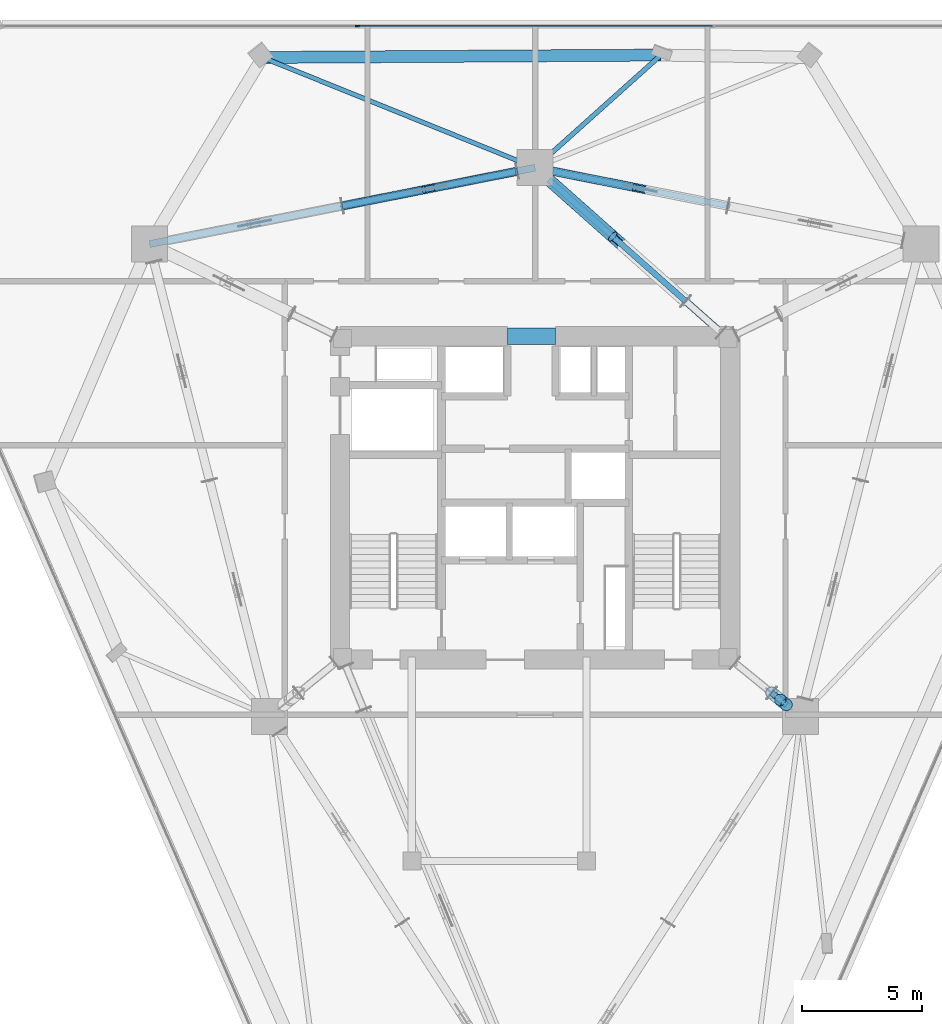
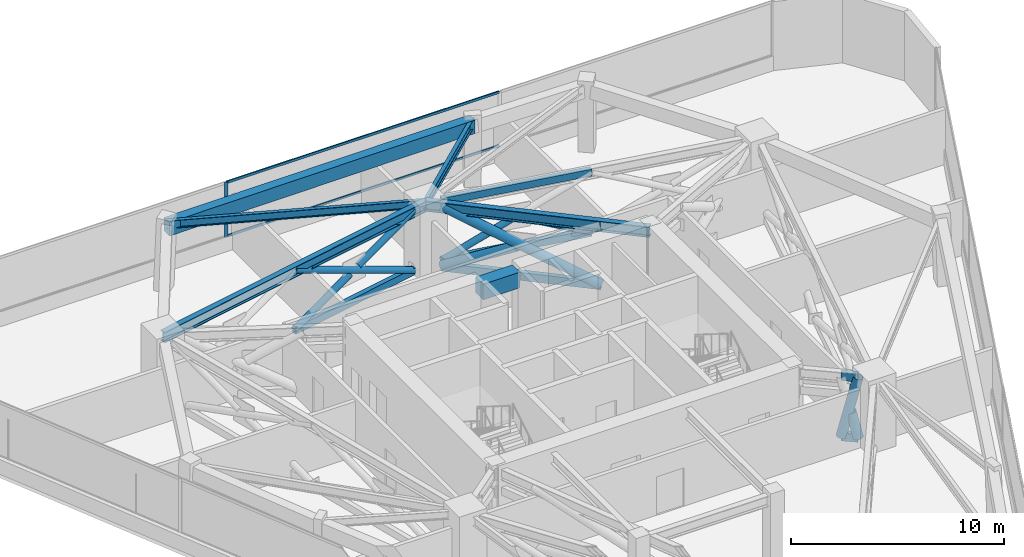
# One storey, part 6 of 13: 20 members, 6 beams, 1 element without a shape of its own.
"""IFC4 building model written with IfcOpenShell, lengths in metres."""

from ifc_helpers import new_model, si_unit, direction, frame, origin, origin_2d, place, context, subcontext, project, spatial, rectangle, hollow_rectangle, hollow_circle, i_section, extrude, material, layer, layer_set, material_profile, profile_set, type_object, element, aggregate, save


model = new_model("IFC4")

# Units and contexts
model_context = context("Model", 3, precision=1e-05, world=origin(), true_north=direction((0.0, 1.0)))
body_context = subcontext(model_context, "Body", "Model", "MODEL_VIEW")
ifc_project = project(units=[si_unit("LENGTHUNIT", "METRE"), si_unit("AREAUNIT", "SQUARE_METRE"), si_unit("VOLUMEUNIT", "CUBIC_METRE"), si_unit("PLANEANGLEUNIT", "RADIAN"), si_unit("MASSUNIT", "GRAM", prefix="KILO")], contexts=[model_context])

# Site, building, storey
site_placement = place(None, origin())
site = spatial("IfcSite", under=ifc_project, at=site_placement, CompositionType="ELEMENT")
building_placement = place(site_placement, origin())
building = spatial("IfcBuilding", under=site, at=building_placement, Name="Talyreon Biosciences Tower", CompositionType="ELEMENT")
storey_placement = place(building_placement, frame((0.0, 0.0, 175.199951171875)))
storey = spatial("IfcBuildingStorey", under=building, at=storey_placement, Name="L46", CompositionType="ELEMENT", Elevation=175.199951171875)

# Members
ifc_material_1 = material(Name="Steel SM355", Category="steel")
ifc_material_profile_1 = material_profile(ifc_material_1, hollow_circle(Radius=0.177734375, WallThickness=0.01416015625, at=origin_2d()), Name="CHS 355.6x14.2")
ifc_profile_set_1 = profile_set([ifc_material_profile_1], Name="Steel SM355")
member_type_1 = type_object("IfcMemberType", Name="BeltBrace_CHS355", PredefinedType="BRACE", material=ifc_profile_set_1)
member_1_placement = place(storey_placement, frame((74.05126953125, 80.19384765625, 0.239990234375), z_axis=(-0.889621587355, 0.176235689408, 0.421324593503), x_axis=(-0.194325464133, -0.980937110109, 0.0)))
element("IfcMember", 1, at=member_1_placement, inside=storey, type_object=member_type_1, Name="L46 Continuous Diagonal BELT-L46-B3S2A", PredefinedType="BRACE", context=body_context, shape_type="SweptSolid", body=[
    extrude(hollow_circle(Radius=0.177734375, WallThickness=0.01416015625, at=origin_2d()), origin(), (0.0, 0.0, 1.0), 8.212158203125),
])
member_2_placement = place(storey_placement, frame((66.74560546875, 81.64111328125, 0.239990234375), z_axis=(0.889605921167, -0.176249304516, 0.421351976004), x_axis=(0.194343202909, 0.980933595858, 0.0)))
element("IfcMember", 2, at=member_2_placement, inside=storey, type_object=member_type_1, Name="L46 Split Diagonal BELT-L46-B3S2B-Lower", PredefinedType="BRACE", context=body_context, shape_type="SweptSolid", body=[
    extrude(hollow_circle(Radius=0.177734375, WallThickness=0.01416015625, at=origin_2d()), origin(), (0.0, 0.0, 1.0), 3.825927734375),
])
member_3_placement = place(storey_placement, frame((65.25439453125, 81.64111328125, 0.239990234375), z_axis=(-0.889621587355, -0.176235689408, 0.421324593503), x_axis=(0.194325464133, -0.980937110109, 0.0)))
element("IfcMember", 3, at=member_3_placement, inside=storey, type_object=member_type_1, Name="L46 Continuous Diagonal BELT-L46-B4S1A", PredefinedType="BRACE", context=body_context, shape_type="SweptSolid", body=[
    extrude(hollow_circle(Radius=0.177734375, WallThickness=0.01416015625, at=origin_2d()), origin(), (0.0, 0.0, 1.0), 8.212158203125),
])
member_4_placement = place(storey_placement, frame((57.94873046875, 80.19384765625, 0.239990234375), z_axis=(0.889619231342, 0.176239299739, 0.421328057994), x_axis=(-0.19432978993, 0.980936253151, 0.0)))
element("IfcMember", 4, at=member_4_placement, inside=storey, type_object=member_type_1, Name="L46 Split Diagonal BELT-L46-B4S1B-Lower", PredefinedType="BRACE", context=body_context, shape_type="SweptSolid", body=[
    extrude(hollow_circle(Radius=0.177734375, WallThickness=0.01416015625, at=origin_2d()), origin(), (0.0, 0.0, 1.0), 3.826171875),
])
member_5_placement = place(storey_placement, frame((61.8505859375, 80.966796875, 2.088134765625), z_axis=(0.889643147326, 0.17624403765, 0.421275574426), x_axis=(-0.19432978993, 0.980936253151, 0.0)))
element("IfcMember", 5, at=member_5_placement, inside=storey, type_object=member_type_1, Name="L46 Split Diagonal BELT-L46-B4S1B-Upper", PredefinedType="BRACE", context=body_context, shape_type="SweptSolid", body=[
    extrude(hollow_circle(Radius=0.177734375, WallThickness=0.01416015625, at=origin_2d()), origin(), (0.0, 0.0, 1.0), 3.825927734375),
])
ifc_material_profile_2 = material_profile(ifc_material_1, hollow_rectangle(XDim=0.25, YDim=0.39990234375, WallThickness=0.01611328125, at=origin_2d()), Name="RHS 400x250x16")
ifc_profile_set_2 = profile_set([ifc_material_profile_2], Name="Steel SM355")
member_type_2 = type_object("IfcMemberType", Name="BeltChord_RHS400x250", PredefinedType="CHORD", material=ifc_profile_set_2)
for number, where, z_axis, x_axis, name in (
    (6, (74.05126953125, 80.19384765625, 0.239990234375), (-0.980937110109, 0.194325464133, 0.0), (-0.194325464133, -0.980937110109, 0.0), "L46 Truss Bottom Chord BELT-L46-B3S2"),
    (7, (74.05126953125, 80.19384765625, 3.699951171875), (-0.980937110109, 0.194325464133, 0.0), (-0.194325464133, -0.980937110109, 0.0), "L46 Truss Top Chord BELT-L46-B3S2"),
    (8, (65.25439453125, 81.64111328125, 0.239990234375), (-0.980937110109, -0.194325464133, 0.0), (0.194325464133, -0.980937110109, 0.0), "L46 Truss Bottom Chord BELT-L46-B4S1"),
    (9, (65.25439453125, 81.64111328125, 3.699951171875), (-0.980937110109, -0.194325464133, 0.0), (0.194325464133, -0.980937110109, 0.0), "L46 Truss Top Chord BELT-L46-B4S1"),
):
    element("IfcMember", number, at=place(storey_placement, frame(where, z_axis=z_axis, x_axis=x_axis)), inside=storey, type_object=member_type_2, Name=name, PredefinedType="CHORD", context=body_context, shape_type="SweptSolid", body=[
        extrude(hollow_rectangle(XDim=0.25, YDim=0.39990234375, WallThickness=0.01611328125, at=origin_2d()), origin(), (0.0, 0.0, 1.0), 7.44775390625),
    ])

# Curtain wall, members
ifc_material_2 = material(Name="Thermally broken aluminium and low-E glazing", Category="aluminium")
ifc_layer = layer(ifc_material_2, 0.18505859375)
ifc_layer_set = layer_set([ifc_layer], Name="Thermally broken aluminium and low-E glazing")
curtain_wall_type = type_object("IfcCurtainWallType", Name="CurtainWall_Zone3Bioprocess", PredefinedType="NOTDEFINED", material=ifc_layer_set)
curtain_wall_placement = place(storey_placement, origin())
curtain_wall = element("IfcCurtainWall", 10, at=curtain_wall_placement, inside=storey, type_object=curtain_wall_type, Name="L46 Unitised Curtain Wall FCW-L46-04", PredefinedType="NOTDEFINED")
ifc_material_3 = material(Name="Anodised thermally broken aluminium", Category="aluminium")
ifc_material_profile_3 = material_profile(ifc_material_3, rectangle(XDim=0.06494140625, YDim=0.179931640625, at=origin_2d()), Name="ALUM MULLION 65x180")
ifc_profile_set_3 = profile_set([ifc_material_profile_3], Name="Anodised thermally broken aluminium")
member_type_3 = type_object("IfcMemberType", Name="CWMullion_65x180", PredefinedType="MULLION", material=ifc_profile_set_3)
member_6_placement = place(storey_placement, frame((58.57958984375, 87.705810546875, 0.81005859375), z_axis=(0.0, 0.0, 1.0), x_axis=(0.0, 1.0, 0.0)))
member_6 = element("IfcMember", 11, at=member_6_placement, type_object=member_type_3, Name="CW4 mullion 2", PredefinedType="MULLION", context=body_context, shape_type="SweptSolid", body=[
    extrude(rectangle(XDim=0.06494140625, YDim=0.179931640625, at=origin_2d()), origin(), (0.0, 0.0, 1.0), 3.139892578125),
])
ifc_material_profile_4 = material_profile(ifc_material_3, rectangle(XDim=0.06494140625, YDim=0.139892578125, at=origin_2d()), Name="ALUM TRANSOM 65x140")
ifc_profile_set_4 = profile_set([ifc_material_profile_4], Name="Anodised thermally broken aluminium")
member_type_4 = type_object("IfcMemberType", Name="CWTransom_65x140", PredefinedType="USERDEFINED", material=ifc_profile_set_4)
member_7_placement = place(storey_placement, frame((58.612060546875, 87.705810546875, 0.842529296875), z_axis=(1.0, 0.0, 0.0), x_axis=(0.0, 1.0, 0.0)))
member_7 = element("IfcMember", 12, at=member_7_placement, type_object=member_type_4, Name="CW4 transom 2.1", ObjectType="TRANSOM", PredefinedType="USERDEFINED", context=body_context, shape_type="SweptSolid", body=[
    extrude(rectangle(XDim=0.06494140625, YDim=0.139892578125, at=origin_2d()), origin(), (0.0, 0.0, 1.0), 14.77587890625),
])
member_8_placement = place(storey_placement, frame((58.612060546875, 87.705810546875, 3.91748046875), z_axis=(1.0, 0.0, 0.0), x_axis=(0.0, 1.0, 0.0)))
member_8 = element("IfcMember", 13, at=member_8_placement, type_object=member_type_4, Name="CW4 transom 2.2", ObjectType="TRANSOM", PredefinedType="USERDEFINED", context=body_context, shape_type="SweptSolid", body=[
    extrude(rectangle(XDim=0.06494140625, YDim=0.139892578125, at=origin_2d()), origin(), (0.0, 0.0, 1.0), 14.77587890625),
])
aggregate(curtain_wall, [member_6, member_7, member_8])

# Beams
ifc_material_4 = material(Name="Concrete C60/75", Category="concrete")
ifc_material_profile_5 = material_profile(ifc_material_4, rectangle(XDim=0.699951171875, YDim=0.89990234375, at=origin_2d()), Name="RCB 700x900")
ifc_profile_set_5 = profile_set([ifc_material_profile_5], Name="Concrete C60/75")
beam_type_1 = type_object("IfcBeamType", Name="CoreCouplingLintel_700x900", PredefinedType="LINTEL", material=ifc_profile_set_5)
beam_1_placement = place(storey_placement, frame((64.85009765625, 74.75, 3.5), z_axis=(1.0, 0.0, 0.0), x_axis=(0.0, 1.0, 0.0)))
element("IfcBeam", 14, at=beam_1_placement, inside=storey, type_object=beam_type_1, Name="L46 Core Coupling Lintel", PredefinedType="LINTEL", context=body_context, shape_type="SweptSolid", body=[
    extrude(rectangle(XDim=0.699951171875, YDim=0.89990234375, at=origin_2d()), origin(), (0.0, 0.0, 1.0), 2.0),
])
ifc_material_5 = material(Name="Precast concrete C45/55", Category="concrete")
ifc_material_profile_6 = material_profile(ifc_material_5, rectangle(XDim=0.5, YDim=0.780029296875, at=origin_2d()), Name="RCB 500x780")
ifc_profile_set_6 = profile_set([ifc_material_profile_6], Name="Precast concrete C45/55")
beam_type_2 = type_object("IfcBeamType", Name="ExpressedSpandrel_500x780", PredefinedType="SPANDREL", material=ifc_profile_set_6)
beam_2_placement = place(storey_placement, frame((71.252197265625, 86.4912109375, 3.56005859375), z_axis=(-0.999981890232, -0.006018239633, 0.0), x_axis=(0.006018239633, -0.999981890232, 0.0)))
element("IfcBeam", 15, at=beam_2_placement, inside=storey, type_object=beam_type_2, Name="L46 Expressed Horizontal Concrete Spandrel 07", PredefinedType="SPANDREL", context=body_context, shape_type="SweptSolid", body=[
    extrude(rectangle(XDim=0.5, YDim=0.780029296875, at=origin_2d()), origin(), (0.0, 0.0, 1.0), 16.63232421875),
])

# Members
ifc_material_profile_7 = material_profile(ifc_material_1, hollow_circle(Radius=0.25390625, WallThickness=0.02001953125, at=origin_2d()), Name="CHS 508x20")
ifc_profile_set_7 = profile_set([ifc_material_profile_7], Name="Steel SM355")
member_type_5 = type_object("IfcMemberType", Name="OutriggerBrace_CHS508", PredefinedType="BRACE", material=ifc_profile_set_7)
member_9_placement = place(storey_placement, frame((75.873046875, 59.8671875, 0.239990234375), z_axis=(0.175540967552, -0.142755908224, 0.974066794105), x_axis=(0.630935647807, 0.775835168271, 0.0)))
element("IfcMember", 16, at=member_9_placement, inside=storey, type_object=member_type_5, Name="L46 Continuous Diagonal OUT-L46-R2A", PredefinedType="BRACE", context=body_context, shape_type="SweptSolid", body=[
    extrude(hollow_circle(Radius=0.25390625, WallThickness=0.02001953125, at=origin_2d()), origin(), (0.0, 0.0, 1.0), 3.552001953125),
])
member_10_placement = place(storey_placement, frame((76.49658203125, 59.360107421875, 0.239990234375), z_axis=(-0.175591607931, 0.142627384137, 0.974076494182), x_axis=(-0.630483987944, -0.77620225518, 0.0)))
element("IfcMember", 17, at=member_10_placement, inside=storey, type_object=member_type_5, Name="L46 Split Diagonal OUT-L46-R2B-Lower", PredefinedType="BRACE", context=body_context, shape_type="SweptSolid", body=[
    extrude(hollow_circle(Radius=0.25390625, WallThickness=0.02001953125, at=origin_2d()), origin(), (0.0, 0.0, 1.0), 1.49609375),
])
member_11_placement = place(storey_placement, frame((72.291748046875, 76.209228515625, 0.239990234375), z_axis=(-0.68168525646, 0.604536933562, 0.412116860957), x_axis=(-0.663501665332, -0.748174805845, 0.0)))
element("IfcMember", 18, at=member_11_placement, inside=storey, type_object=member_type_5, Name="L46 Continuous Diagonal OUT-L46-R4A", PredefinedType="BRACE", context=body_context, shape_type="SweptSolid", body=[
    extrude(hollow_circle(Radius=0.25390625, WallThickness=0.02001953125, at=origin_2d()), origin(), (0.0, 0.0, 1.0), 8.3955078125),
])
member_12_placement = place(storey_placement, frame((66.568603515625, 81.28466796875, 0.239990234375), z_axis=(0.68167193471, -0.604525042383, 0.412156337524), x_axis=(0.66350161797, 0.748174847848, 0.0)))
element("IfcMember", 19, at=member_12_placement, inside=storey, type_object=member_type_5, Name="L46 Split Diagonal OUT-L46-R4B-Lower", PredefinedType="BRACE", context=body_context, shape_type="SweptSolid", body=[
    extrude(hollow_circle(Radius=0.25390625, WallThickness=0.02001953125, at=origin_2d()), origin(), (0.0, 0.0, 1.0), 3.917724609375),
])
ifc_material_profile_8 = material_profile(ifc_material_1, hollow_rectangle(XDim=0.25, YDim=0.449951171875, WallThickness=0.01611328125, at=origin_2d()), Name="RHS 450x250x16")
ifc_profile_set_8 = profile_set([ifc_material_profile_8], Name="Steel SM355")
member_type_6 = type_object("IfcMemberType", Name="OutriggerChord_RHS450x250", PredefinedType="CHORD", material=ifc_profile_set_8)
for number, where, z_axis, x_axis, name in (
    (20, (75.873046875, 59.8671875, 0.239990234375), (0.775835168271, -0.630935647807, 0.0), (0.630935647807, 0.775835168271, 0.0), "L46 Truss Bottom Chord OUT-L46-R2"),
    (21, (75.873046875, 59.8671875, 3.699951171875), (0.775835168271, -0.630935647807, 0.0), (0.630935647807, 0.775835168271, 0.0), "L46 Truss Top Chord OUT-L46-R2"),
):
    element("IfcMember", number, at=place(storey_placement, frame(where, z_axis=z_axis, x_axis=x_axis)), inside=storey, type_object=member_type_6, Name=name, PredefinedType="CHORD", context=body_context, shape_type="SweptSolid", body=[
        extrude(hollow_rectangle(XDim=0.25, YDim=0.449951171875, WallThickness=0.01611328125, at=origin_2d()), origin(), (0.0, 0.0, 1.0), 0.8037109375),
    ])
for number, where, z_axis, x_axis, name in (
    (22, (72.291748046875, 76.209228515625, 0.239990234375), (-0.748174805845, 0.663501665332, 0.0), (-0.663501665332, -0.748174805845, 0.0), "L46 Truss Bottom Chord OUT-L46-R4"),
    (23, (72.291748046875, 76.209228515625, 3.699951171875), (-0.748174805845, 0.663501665332, 0.0), (-0.663501665332, -0.748174805845, 0.0), "L46 Truss Top Chord OUT-L46-R4"),
):
    element("IfcMember", number, at=place(storey_placement, frame(where, z_axis=z_axis, x_axis=x_axis)), inside=storey, type_object=member_type_6, Name=name, PredefinedType="CHORD", context=body_context, shape_type="SweptSolid", body=[
        extrude(hollow_rectangle(XDim=0.25, YDim=0.449951171875, WallThickness=0.01611328125, at=origin_2d()), origin(), (0.0, 0.0, 1.0), 7.6494140625),
    ])

# Beams
ifc_material_profile_9 = material_profile(ifc_material_1, i_section(OverallWidth=0.300048828125, OverallDepth=0.60009765625, WebThickness=0.015380859375, FlangeThickness=0.030029296875, FilletRadius=0.027099609375, at=origin_2d()), Name="HE600B")
ifc_profile_set_9 = profile_set([ifc_material_profile_9], Name="Steel SM355")
beam_type_3 = type_object("IfcBeamType", Name="SteelBeam_HE600B", PredefinedType="BEAM", material=ifc_profile_set_9)
beam_3_placement = place(storey_placement, frame((66.0, 81.788818359375, 3.650146484375), z_axis=(-0.980933730698, -0.194342522311, 0.0), x_axis=(0.194342522311, -0.980933730698, 0.0)))
element("IfcBeam", 24, at=beam_3_placement, inside=storey, type_object=beam_type_3, Name="L46 Mega-Ring Girder 4", PredefinedType="BEAM", context=body_context, shape_type="SweptSolid", body=[
    extrude(i_section(OverallWidth=0.300048828125, OverallDepth=0.60009765625, WebThickness=0.015380859375, FlangeThickness=0.030029296875, FilletRadius=0.027099609375, at=origin_2d()), origin(), (0.0, 0.0, 1.0), 16.415283203125),
])
beam_4_placement = place(storey_placement, frame((74.050048828125, 74.64990234375, 3.650146484375), z_axis=(-0.748178733955, 0.663497235908, 0.0), x_axis=(-0.663497235908, -0.748178733955, 0.0)))
element("IfcBeam", 25, at=beam_4_placement, inside=storey, type_object=beam_type_3, Name="L46 Radial Primary Girder 4", PredefinedType="BEAM", context=body_context, shape_type="SweptSolid", body=[
    extrude(i_section(OverallWidth=0.300048828125, OverallDepth=0.60009765625, WebThickness=0.015380859375, FlangeThickness=0.030029296875, FilletRadius=0.027099609375, at=origin_2d()), origin(), (0.0, 0.0, 1.0), 10.759521484375),
])
ifc_material_profile_10 = material_profile(ifc_material_1, i_section(OverallWidth=0.18994140625, OverallDepth=0.449951171875, WebThickness=0.009521484375, FlangeThickness=0.0146484375, FilletRadius=0.02099609375, at=origin_2d()), Name="IPE450")
ifc_profile_set_10 = profile_set([ifc_material_profile_10], Name="Steel SM355")
beam_type_4 = type_object("IfcBeamType", Name="SteelJoist_IPE450", PredefinedType="JOIST", material=ifc_profile_set_10)
beam_5_placement = place(storey_placement, frame((66.0, 81.788818359375, 3.72509765625), z_axis=(-0.927055799089, 0.374923386008, 0.0), x_axis=(-0.374923386008, -0.927055799089, 0.0)))
element("IfcBeam", 26, at=beam_5_placement, inside=storey, type_object=beam_type_4, Name="L46 Radial Composite Floor Joist PC-N2", PredefinedType="JOIST", context=body_context, shape_type="SweptSolid", body=[
    extrude(i_section(OverallWidth=0.18994140625, OverallDepth=0.449951171875, WebThickness=0.009521484375, FlangeThickness=0.0146484375, FilletRadius=0.02099609375, at=origin_2d()), origin(), (0.0, 0.0, 1.0), 12.275390625),
])
ifc_material_profile_11 = material_profile(ifc_material_1, i_section(OverallWidth=0.199951171875, OverallDepth=0.5, WebThickness=0.01025390625, FlangeThickness=0.01611328125, FilletRadius=0.02099609375, at=origin_2d()), Name="IPE500")
ifc_profile_set_11 = profile_set([ifc_material_profile_11], Name="Steel SM355")
beam_type_5 = type_object("IfcBeamType", Name="SteelJoist_IPE500", PredefinedType="JOIST", material=ifc_profile_set_11)
beam_6_placement = place(storey_placement, frame((66.0, 81.788818359375, 3.699951171875), z_axis=(0.74502570732, 0.66703575274, 0.0), x_axis=(-0.66703575274, 0.74502570732, 0.0)))
element("IfcBeam", 27, at=beam_6_placement, inside=storey, type_object=beam_type_5, Name="L46 Radial Composite Floor Joist PL-N", PredefinedType="JOIST", context=body_context, shape_type="SweptSolid", body=[
    extrude(i_section(OverallWidth=0.199951171875, OverallDepth=0.5, WebThickness=0.01025390625, FlangeThickness=0.01611328125, FilletRadius=0.02099609375, at=origin_2d()), origin(), (0.0, 0.0, 1.0), 7.0498046875),
])

save(model, "model.ifc")
